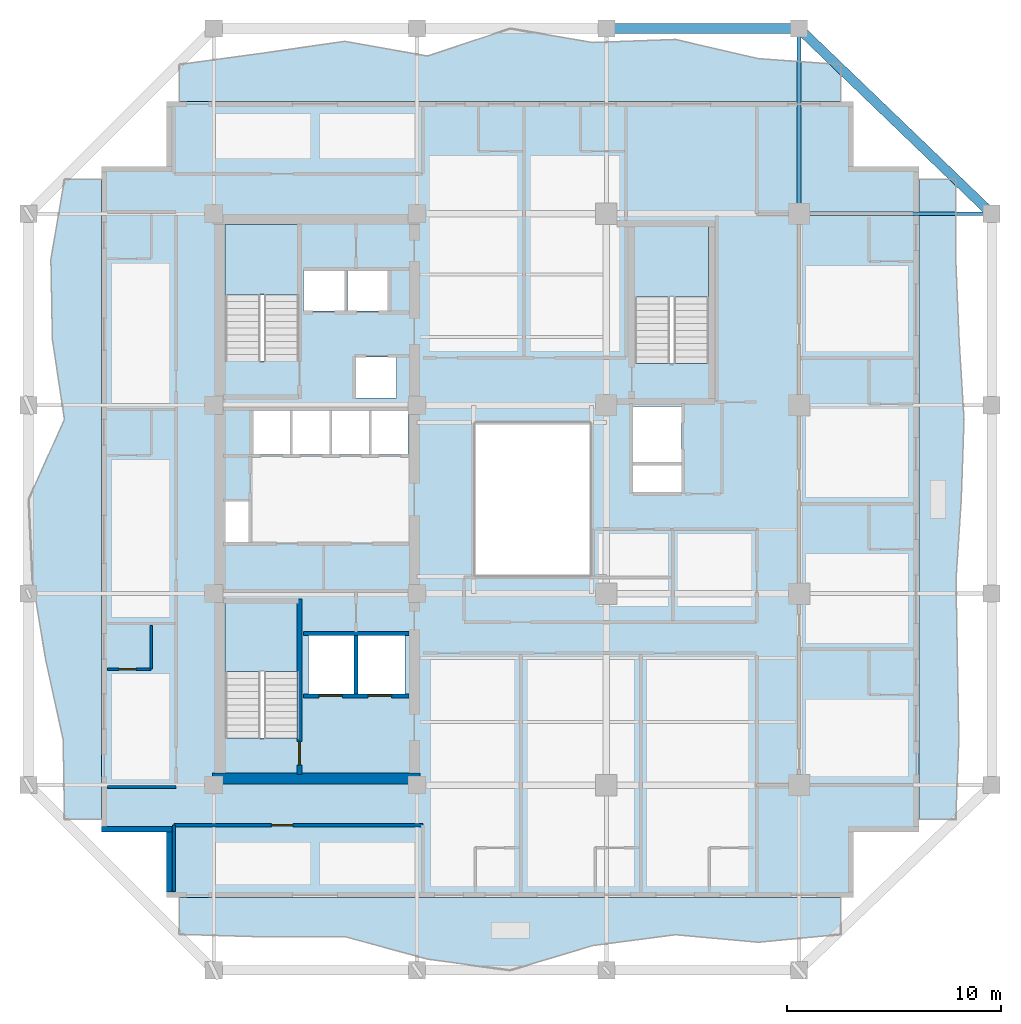
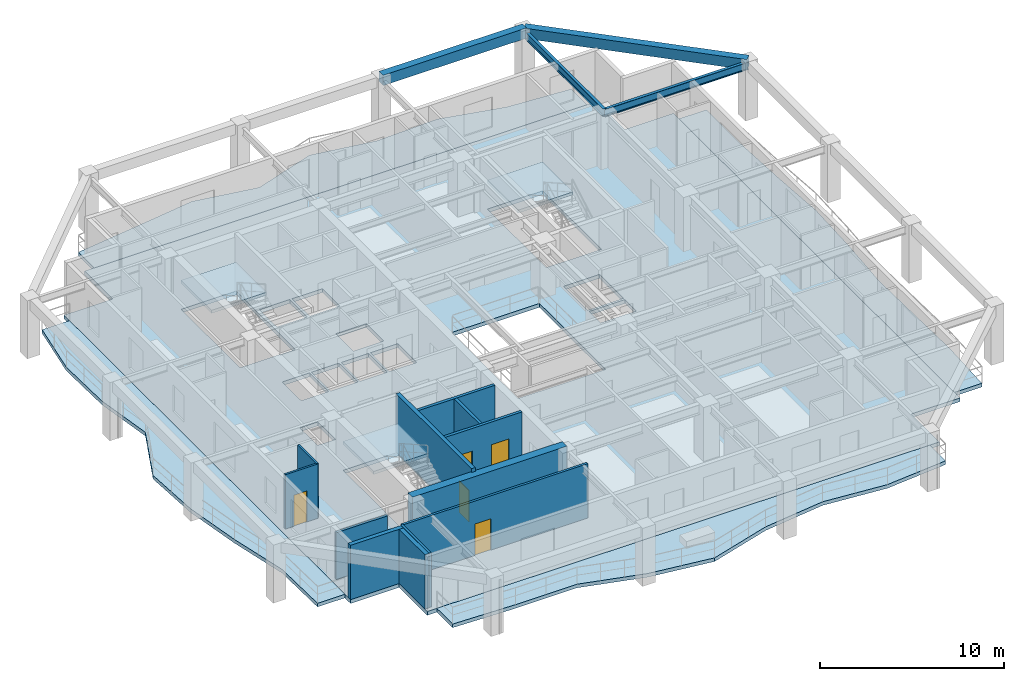
# One storey, part 2 of 11: 12 walls, 8 slabs, 5 doors, 4 beams, 5 openings, 3 elements without a shape of their own.
"""IFC4 building model written with IfcOpenShell, lengths in metres."""

import ifcopenshell
import ifcopenshell.guid

model = None  # the IFC model being written
_history = None  # IfcOwnerHistory: only IFC2X3 demands one
_inside = {}  # id of a spatial element -> (the spatial element, [elements in it])
_under = {}  # id of a project, library or spatial element -> (it, [spatial elements below it])
_declared = {}  # id of a project -> (the project, [libraries it declares])
_typed = {}  # id of a type object -> (the type object, [elements of that type])
_made_of = {}  # id of a material, layer set ... -> (it, [elements and type objects made of it])


def new_model(schema):
    """Start an empty IFC model of exactly this schema.

    Asked for "IFC4X3", IfcOpenShell would pick the latest addendum, in which some entities
    have other attributes; the version numbers below select the first issue.
    IFC2X3 requires an IfcOwnerHistory on every rooted entity: one is made here for all.
    """
    global model, _history
    if schema == "IFC4X3":
        model = ifcopenshell.file(schema_version=(4, 3, 0, 0))
    else:
        model = ifcopenshell.file(schema=schema)
    _inside.clear()
    _under.clear()
    _declared.clear()
    _typed.clear()
    _made_of.clear()
    _history = None
    if model.schema == "IFC2X3":
        org = make("IfcOrganization", Name="unknown")
        user = make(
            "IfcPersonAndOrganization",
            ThePerson=make("IfcPerson", FamilyName="unknown"),
            TheOrganization=org,
        )
        app = make(
            "IfcApplication",
            ApplicationDeveloper=org,
            Version="unknown",
            ApplicationFullName="unknown",
            ApplicationIdentifier="unknown",
        )
        _history = make(
            "IfcOwnerHistory",
            OwningUser=user,
            OwningApplication=app,
            ChangeAction="ADDED",
            CreationDate=0,
        )
    return model


def make(cls, **values):
    """One entity of the class cls with the attributes given. An attribute that is None is left unset."""
    return model.create_entity(
        cls, **{name: value for name, value in values.items() if value is not None}
    )


def rooted(cls, **values):
    """An entity with a GlobalId (a new one), such as an element, a storey or a relation."""
    return make(cls, GlobalId=ifcopenshell.guid.new(), OwnerHistory=_history, **values)


def si_unit(unit_type, name, prefix=None):
    """IfcSIUnit, for example si_unit("LENGTHUNIT", "METRE", prefix="MILLI")."""
    return make("IfcSIUnit", UnitType=unit_type, Prefix=prefix, Name=name)


def assignment(units):
    """IfcUnitAssignment: the units of a project."""
    return None if units is None else make("IfcUnitAssignment", Units=units)


def point(xyz):
    """IfcCartesianPoint."""
    return None if xyz is None else make("IfcCartesianPoint", Coordinates=xyz)


def direction(xyz):
    """IfcDirection."""
    return None if xyz is None else make("IfcDirection", DirectionRatios=xyz)


def frame(location, z_axis=None, x_axis=None):
    """IfcAxis2Placement3D, a coordinate frame: its origin and axes. An axis left out is left unset."""
    return make(
        "IfcAxis2Placement3D",
        Location=point(location),
        Axis=direction(z_axis),
        RefDirection=direction(x_axis),
    )


def frame_2d(location, x_axis=None):
    """IfcAxis2Placement2D, a coordinate frame in the plane: its origin and x axis."""
    return make(
        "IfcAxis2Placement2D", Location=point(location), RefDirection=direction(x_axis)
    )


def origin():
    """The frame at (0, 0, 0) with its axes left unset."""
    return frame((0.0, 0.0, 0.0))


def origin_2d():
    """The frame at (0, 0) in the plane with its x axis left unset."""
    return frame_2d((0.0, 0.0))


def place(relative_to, where):
    """IfcLocalPlacement: puts the frame where relative to a parent placement (None: the world)."""
    return make(
        "IfcLocalPlacement", PlacementRelTo=relative_to, RelativePlacement=where
    )


def context(
    kind, dimensions, precision=None, world=None, true_north=None, identifier=None
):
    """IfcGeometricRepresentationContext, for example the 3D "Model" context."""
    return make(
        "IfcGeometricRepresentationContext",
        ContextIdentifier=identifier,
        ContextType=kind,
        CoordinateSpaceDimension=dimensions,
        Precision=precision,
        WorldCoordinateSystem=world,
        TrueNorth=true_north,
    )


def subcontext(parent, identifier, kind, view, scale=None):
    """IfcGeometricRepresentationSubContext, for example "Body" below "Model"."""
    return make(
        "IfcGeometricRepresentationSubContext",
        ContextIdentifier=identifier,
        ContextType=kind,
        ParentContext=parent,
        TargetScale=scale,
        TargetView=view,
    )


def project(units=None, contexts=None):
    """IfcProject with its units and contexts."""
    return rooted(
        "IfcProject",
        Name="project",
        RepresentationContexts=contexts,
        UnitsInContext=assignment(units),
    )


def spatial(cls, under=None, at=None, **own):
    """A site, building, storey or space (cls), placed at a placement, below another one or the project."""
    s = rooted(cls, ObjectPlacement=at, **own)
    if under is not None:
        _under.setdefault(under.id(), (under, []))[1].append(s)
    return s


def polyline(points):
    """IfcPolyline through the points."""
    return make("IfcPolyline", Points=[point(p) for p in points])


def profile(cls, at=None, kind="AREA", **sizes):
    """A parametric profile (cls). Its sizes go by their IFC names, for example OverallWidth=200.0."""
    return make(cls, ProfileType=kind, Position=at, **sizes)


def rectangle(**sizes):
    """IfcRectangleProfileDef."""
    return profile("IfcRectangleProfileDef", **sizes)


def i_section(**sizes):
    """IfcIShapeProfileDef."""
    return profile("IfcIShapeProfileDef", **sizes)


def outline(outer, holes=None, kind="AREA"):
    """IfcArbitraryClosedProfileDef: a profile drawn as a closed curve; with holes, ...WithVoids."""
    if holes is None:
        return make("IfcArbitraryClosedProfileDef", ProfileType=kind, OuterCurve=outer)
    return make(
        "IfcArbitraryProfileDefWithVoids",
        ProfileType=kind,
        OuterCurve=outer,
        InnerCurves=holes,
    )


def extrude(swept, where, along, depth):
    """IfcExtrudedAreaSolid: the profile swept, set in the frame where, extruded along a direction by depth."""
    return make(
        "IfcExtrudedAreaSolid",
        SweptArea=swept,
        Position=where,
        ExtrudedDirection=direction(along),
        Depth=depth,
    )


def shape(context_of_items, identifier, shape_type, items):
    """IfcShapeRepresentation: the items that make up one representation, for example the "Body"."""
    return make(
        "IfcShapeRepresentation",
        ContextOfItems=context_of_items,
        RepresentationIdentifier=identifier,
        RepresentationType=shape_type,
        Items=items,
    )


def material(Name=None, Category=None):
    """IfcMaterial."""
    return make("IfcMaterial", Name=Name, Category=Category)


def layer(
    of_material, thickness, ventilated=None, Name=None, Category=None, Priority=None
):
    """IfcMaterialLayer: one layer of a wall or slab, of a material (None: an air gap)."""
    return make(
        "IfcMaterialLayer",
        Material=of_material,
        LayerThickness=thickness,
        IsVentilated=ventilated,
        Name=Name,
        Category=Category,
        Priority=Priority,
    )


def layer_set(layers, Name=None):
    """IfcMaterialLayerSet."""
    return make("IfcMaterialLayerSet", MaterialLayers=layers, LayerSetName=Name)


def material_profile(
    of_material, cross_section, Name=None, Category=None, Priority=None
):
    """IfcMaterialProfile: a cross section and its material."""
    return make(
        "IfcMaterialProfile",
        Name=Name,
        Material=of_material,
        Profile=cross_section,
        Priority=Priority,
        Category=Category,
    )


def profile_set(profiles, Name=None, composite=None):
    """IfcMaterialProfileSet."""
    return make(
        "IfcMaterialProfileSet",
        Name=Name,
        MaterialProfiles=profiles,
        CompositeProfile=composite,
    )


def made_of(thing, what):
    """Note that an element or type object is made of a material, layer set ...; save() writes the relation."""
    if what is not None:
        _made_of.setdefault(what.id(), (what, []))[1].append(thing)
    return thing


def type_object(cls, material=None, **own):
    """A type object (cls), such as IfcWallType, which elements share."""
    return made_of(rooted(cls, **own), material)


def element(
    cls,
    number,
    at=None,
    inside=None,
    cuts=None,
    type_object=None,
    material=None,
    context=None,
    identifier="Body",
    shape_type=None,
    held_by="IfcProductDefinitionShape",
    body=None,
    shapes=None,
    **own,
):
    """One element of the class cls, such as IfcWall. Its Tag is "e" and its number.

    at: its placement. inside: the storey or other place that contains it. cuts: it is an
    opening in that element (IfcRelVoidsElement). A single representation is given by context,
    identifier, shape_type and body (its items); several are given by shapes. held_by: the class
    of the entity that holds the representations. save() writes the other relations.
    """
    e = rooted(cls, Tag="e%d" % number, ObjectPlacement=at, **own)
    if body is not None:
        shapes = [shape(context, identifier, shape_type, body)]
    if shapes is not None:
        e.Representation = make(held_by, Representations=shapes)
    if inside is not None:
        _inside.setdefault(inside.id(), (inside, []))[1].append(e)
    if cuts is not None:
        rooted(
            "IfcRelVoidsElement", RelatingBuildingElement=cuts, RelatedOpeningElement=e
        )
    if type_object is not None:
        _typed.setdefault(type_object.id(), (type_object, []))[1].append(e)
    return made_of(e, material)


def fill(opening, filler):
    """IfcRelFillsElement: the door or window that sits in an opening."""
    return rooted(
        "IfcRelFillsElement",
        RelatingOpeningElement=opening,
        RelatedBuildingElement=filler,
    )


def aggregate(whole, parts):
    """IfcRelAggregates: a whole, such as a stair, and the parts it consists of."""
    return rooted("IfcRelAggregates", RelatingObject=whole, RelatedObjects=parts)


def save(model, path):
    """Write the relations noted so far, then the file.

    IfcRelAggregates (storeys below a building ...), IfcRelContainedInSpatialStructure (elements
    in a storey), IfcRelDefinesByType, IfcRelAssociatesMaterial and IfcRelDeclares: one each for
    every whole, place, type object, material and project.
    """
    for whole, parts in _under.values():
        aggregate(whole, parts)
    for where, things in _inside.values():
        rooted(
            "IfcRelContainedInSpatialStructure",
            RelatedElements=things,
            RelatingStructure=where,
        )
    for kind, things in _typed.values():
        rooted("IfcRelDefinesByType", RelatedObjects=things, RelatingType=kind)
    for what, things in _made_of.values():
        rooted("IfcRelAssociatesMaterial", RelatedObjects=things, RelatingMaterial=what)
    for by, libraries in _declared.values():
        rooted("IfcRelDeclares", RelatingContext=by, RelatedDefinitions=libraries)
    model.write(path)


model = new_model("IFC4")

# Units and contexts
model_context = context("Model", 3, precision=1e-05, world=origin(), true_north=direction((0.0, 1.0)))
body_context = subcontext(model_context, "Body", "Model", "MODEL_VIEW")
ifc_project = project(units=[si_unit("LENGTHUNIT", "METRE"), si_unit("AREAUNIT", "SQUARE_METRE"), si_unit("VOLUMEUNIT", "CUBIC_METRE"), si_unit("PLANEANGLEUNIT", "RADIAN"), si_unit("MASSUNIT", "GRAM", prefix="KILO")], contexts=[model_context])

# Site, building, storey
site_placement = place(None, origin())
site = spatial("IfcSite", under=ifc_project, at=site_placement, CompositionType="ELEMENT")
building_placement = place(site_placement, origin())
building = spatial("IfcBuilding", under=site, at=building_placement, Name="Kundavana Baori Tower", CompositionType="ELEMENT")
storey_placement = place(building_placement, frame((0.0, 0.0, 130.949951171875)))
storey = spatial("IfcBuildingStorey", under=building, at=storey_placement, Name="L31", CompositionType="ELEMENT", Elevation=130.949951171875)

# Beams
ifc_material_1 = material(Name="Concrete C50/60", Category="concrete")
ifc_material_profile_1 = material_profile(ifc_material_1, rectangle(XDim=0.449951171875, YDim=0.679931640625, at=origin_2d()), Name="RC BM 450x680")
ifc_profile_set_1 = profile_set([ifc_material_profile_1], Name="Concrete C50/60")
beam_type_1 = type_object("IfcBeamType", Name="BM-PF-680", PredefinedType="SPANDREL", material=ifc_profile_set_1)
beam_1_placement = place(storey_placement, frame((33.800048828125, 50.60009765625, 3.510009765625), z_axis=(1.0, 0.0, 0.0), x_axis=(0.0, 1.0, 0.0)))
element("IfcBeam", 1, at=beam_1_placement, inside=storey, type_object=beam_type_1, Name="L31 Perimeter Frame Ring Beam N3", PredefinedType="SPANDREL", context=body_context, shape_type="SweptSolid", body=[
    extrude(rectangle(XDim=0.449951171875, YDim=0.679931640625, at=origin_2d()), origin(), (0.0, 0.0, 1.0), 9.0),
])
beam_2_placement = place(storey_placement, frame((42.800048828125, 50.60009765625, 3.510009765625), z_axis=(0.720981122985, -0.692954702921, 0.0), x_axis=(0.692954702921, 0.720981122985, 0.0)))
element("IfcBeam", 2, at=beam_2_placement, inside=storey, type_object=beam_type_1, Name="L31 Notched Corner Perimeter Beam NE", PredefinedType="SPANDREL", context=body_context, shape_type="SweptSolid", body=[
    extrude(rectangle(XDim=0.449951171875, YDim=0.679931640625, at=origin_2d()), origin(), (0.0, 0.0, 1.0), 12.48291015625),
])
ifc_material_2 = material(Name="Structural Steel S355JR", Category="steel")
ifc_material_profile_2 = material_profile(ifc_material_2, i_section(OverallWidth=0.179931640625, OverallDepth=0.5, WebThickness=0.01025390625, FlangeThickness=0.01708984375, FilletRadius=0.01708984375, at=origin_2d()), Name="ISMB 500")
ifc_profile_set_2 = profile_set([ifc_material_profile_2], Name="Structural Steel S355JR")
beam_type_2 = type_object("IfcBeamType", Name="BM-TIE-500", PredefinedType="BEAM", material=ifc_profile_set_2)
beam_3_placement = place(storey_placement, frame((42.800048828125, 41.949951171875, 3.35009765625), z_axis=(0.0, 1.0, 0.0), x_axis=(-1.0, 0.0, 0.0)))
element("IfcBeam", 3, at=beam_3_placement, inside=storey, type_object=beam_type_2, Name="L31 North Radial Loggia Tie Beam N4", PredefinedType="BEAM", context=body_context, shape_type="SweptSolid", body=[
    extrude(i_section(OverallWidth=0.179931640625, OverallDepth=0.5, WebThickness=0.01025390625, FlangeThickness=0.01708984375, FilletRadius=0.01708984375, at=origin_2d()), origin(), (0.0, 0.0, 1.0), 8.650146484375),
])
beam_4_placement = place(storey_placement, frame((42.800048828125, 41.949951171875, 3.35009765625), z_axis=(1.0, 0.0, 0.0), x_axis=(0.0, 1.0, 0.0)))
element("IfcBeam", 4, at=beam_4_placement, inside=storey, type_object=beam_type_2, Name="L31 East Radial Loggia Tie Beam E4", PredefinedType="BEAM", context=body_context, shape_type="SweptSolid", body=[
    extrude(i_section(OverallWidth=0.179931640625, OverallDepth=0.5, WebThickness=0.01025390625, FlangeThickness=0.01708984375, FilletRadius=0.01708984375, at=origin_2d()), origin(), (0.0, 0.0, 1.0), 9.0),
])

# Slab
ifc_material_3 = material(Name="Concrete C40/50", Category="concrete")
ifc_layer_1 = layer(ifc_material_3, 0.25, Name="SLB-FLR-250")
ifc_layer_set_1 = layer_set([ifc_layer_1], Name="Concrete C40/50")
slab_type_1 = type_object("IfcSlabType", Name="SLB-FLR-250", PredefinedType="FLOOR", material=ifc_layer_set_1)
slab_1_placement = place(storey_placement, frame((0.0, 0.0, -0.25)))
element("IfcSlab", 5, at=slab_1_placement, inside=storey, type_object=slab_type_1, Name="L31 Structural Floor Slab", PredefinedType="FLOOR", context=body_context, shape_type="SweptSolid", body=[
    extrude(outline(polyline([(13.25, 10.0), (45.35009765625, 10.0), (45.35009765625, 13.050048828125), (48.39990234375, 13.050048828125), (48.39990234375, 44.14990234375), (45.35009765625, 44.14990234375), (45.35009765625, 47.199951171875), (13.25, 47.199951171875), (13.25, 44.14990234375), (10.199951171875, 44.14990234375), (10.199951171875, 13.050048828125), (13.25, 13.050048828125), (13.25, 10.0)]), holes=[polyline([(19.43994140625, 17.4619140625), (19.43994140625, 23.85009765625), (15.97998046875, 23.85009765625), (15.97998046875, 17.4619140625), (19.43994140625, 17.4619140625)]), polyline([(19.43994140625, 35.06201171875), (19.43994140625, 41.449951171875), (15.97998046875, 41.449951171875), (15.97998046875, 35.06201171875), (19.43994140625, 35.06201171875)]), polyline([(38.580078125, 34.9619140625), (38.580078125, 41.35009765625), (35.1201171875, 41.35009765625), (35.1201171875, 34.9619140625), (38.580078125, 34.9619140625)]), polyline([(17.300048828125, 30.699951171875), (19.02001953125, 30.699951171875), (19.02001953125, 32.75), (17.300048828125, 32.75), (17.300048828125, 30.699951171875)]), polyline([(19.139892578125, 30.699951171875), (20.860107421875, 30.699951171875), (20.860107421875, 32.75), (19.139892578125, 32.75), (19.139892578125, 30.699951171875)]), polyline([(20.97998046875, 30.699951171875), (22.699951171875, 30.699951171875), (22.699951171875, 32.75), (20.97998046875, 32.75), (20.97998046875, 30.699951171875)]), polyline([(22.820068359375, 30.699951171875), (24.5400390625, 30.699951171875), (24.5400390625, 32.75), (22.820068359375, 32.75), (22.820068359375, 30.699951171875)]), polyline([(19.64990234375, 37.39990234375), (21.550048828125, 37.39990234375), (21.550048828125, 39.300048828125), (19.64990234375, 39.300048828125), (19.64990234375, 37.39990234375)]), polyline([(21.699951171875, 37.39990234375), (23.60009765625, 37.39990234375), (23.60009765625, 39.300048828125), (21.699951171875, 39.300048828125), (21.699951171875, 37.39990234375)]), polyline([(22.10009765625, 33.35009765625), (24.0, 33.35009765625), (24.0, 35.25), (22.10009765625, 35.25), (22.10009765625, 33.35009765625)]), polyline([(19.8798828125, 19.5), (22.02001953125, 19.5), (22.02001953125, 22.25), (19.8798828125, 22.25), (19.8798828125, 19.5)]), polyline([(22.179931640625, 19.5), (24.3798828125, 19.5), (24.3798828125, 22.25), (22.179931640625, 22.25), (22.179931640625, 19.5)]), polyline([(35.050048828125, 30.35009765625), (37.300048828125, 30.35009765625), (37.300048828125, 32.949951171875), (35.050048828125, 32.949951171875), (35.050048828125, 30.35009765625)]), polyline([(15.949951171875, 26.60009765625), (17.080078125, 26.60009765625), (17.080078125, 28.5), (15.949951171875, 28.5), (15.949951171875, 26.60009765625)]), polyline([(35.050048828125, 28.949951171875), (37.300048828125, 28.949951171875), (37.300048828125, 30.199951171875), (35.050048828125, 30.199951171875), (35.050048828125, 28.949951171875)]), polyline([(27.60009765625, 25.0), (33.10009765625, 25.0), (33.10009765625, 32.199951171875), (27.60009765625, 32.199951171875), (27.60009765625, 25.0)])]), origin(), (0.0, 0.0, 1.0), 0.25),
])

# Stair, slab
ifc_material_4 = material(Name="Concrete C40/50", Category="concrete")
stair_type = type_object("IfcStairType", Name="STR-DOG-1650", PredefinedType="HALF_TURN_STAIR", material=ifc_material_4)
stair_1_placement = place(storey_placement, origin())
stair_1 = element("IfcStair", 6, at=stair_1_placement, inside=storey, type_object=stair_type, Name="L31 Protected Exit Stair ST1", PredefinedType="HALF_TURN_STAIR")
ifc_material_5 = material(Name="Concrete C40/50", Category="concrete")
ifc_layer_2 = layer(ifc_material_5, 0.199951171875, Name="SLB-LND-200")
ifc_layer_set_2 = layer_set([ifc_layer_2], Name="Concrete C40/50")
slab_type_2 = type_object("IfcSlabType", Name="SLB-LND-200", PredefinedType="LANDING", material=ifc_layer_set_2)
slab_2_placement = place(storey_placement, frame((0.0, 0.0, 1.72509765625)))
slab_2 = element("IfcSlab", 7, at=slab_2_placement, type_object=slab_type_2, Name="ST1 landing 1", PredefinedType="LANDING", context=body_context, shape_type="SweptSolid", body=[
    extrude(outline(polyline([(19.43994140625, 20.550048828125), (19.43994140625, 23.85009765625), (15.97998046875, 23.85009765625), (15.97998046875, 20.550048828125), (19.43994140625, 20.550048828125)])), origin(), (0.0, 0.0, 1.0), 0.199951171875),
])
aggregate(stair_1, [slab_2])

stair_2_placement = place(storey_placement, origin())
stair_2 = element("IfcStair", 8, at=stair_2_placement, inside=storey, type_object=stair_type, Name="L31 Protected Exit Stair ST2", PredefinedType="HALF_TURN_STAIR")
slab_3_placement = place(storey_placement, frame((0.0, 0.0, 1.72509765625)))
slab_3 = element("IfcSlab", 9, at=slab_3_placement, type_object=slab_type_2, Name="ST2 landing 1", PredefinedType="LANDING", context=body_context, shape_type="SweptSolid", body=[
    extrude(outline(polyline([(19.43994140625, 38.14990234375), (19.43994140625, 41.449951171875), (15.97998046875, 41.449951171875), (15.97998046875, 38.14990234375), (19.43994140625, 38.14990234375)])), origin(), (0.0, 0.0, 1.0), 0.199951171875),
])
aggregate(stair_2, [slab_3])

stair_3_placement = place(storey_placement, origin())
stair_3 = element("IfcStair", 10, at=stair_3_placement, inside=storey, type_object=stair_type, Name="L31 Protected Exit Stair ST3", PredefinedType="HALF_TURN_STAIR")
slab_4_placement = place(storey_placement, frame((0.0, 0.0, 1.72509765625)))
slab_4 = element("IfcSlab", 11, at=slab_4_placement, type_object=slab_type_2, Name="ST3 landing 1", PredefinedType="LANDING", context=body_context, shape_type="SweptSolid", body=[
    extrude(outline(polyline([(38.580078125, 38.050048828125), (38.580078125, 41.35009765625), (35.1201171875, 41.35009765625), (35.1201171875, 38.050048828125), (38.580078125, 38.050048828125)])), origin(), (0.0, 0.0, 1.0), 0.199951171875),
])
aggregate(stair_3, [slab_4])

# Slabs
ifc_material_6 = material(Name="Concrete C40/50", Category="concrete")
ifc_layer_3 = layer(ifc_material_6, 0.239990234375, Name="SLB-LOG-240")
ifc_layer_set_3 = layer_set([ifc_layer_3], Name="Concrete C40/50")
slab_type_3 = type_object("IfcSlabType", Name="SLB-LOG-240", PredefinedType="FLOOR", material=ifc_layer_set_3)
slab_5_placement = place(storey_placement, frame((0.0, 0.0, -0.239990234375)))
element("IfcSlab", 12, at=slab_5_placement, inside=storey, type_object=slab_type_3, Name="L31 Planted Loggia Balcony Slab S", PredefinedType="FLOOR", context=body_context, shape_type="SweptSolid", body=[
    extrude(outline(polyline([(13.85009765625, 10.0), (44.75, 10.0), (44.75, 8.280029296875), (40.886962890625, 7.910888671875), (37.02490234375, 8.262939453125), (33.1630859375, 7.756103515625), (29.300048828125, 6.60009765625), (25.43798828125, 7.123046875), (21.574951171875, 8.175048828125), (17.7119140625, 8.1640625), (13.85009765625, 8.280029296875), (13.85009765625, 10.0)])), origin(), (0.0, 0.0, 1.0), 0.239990234375),
])
slab_6_placement = place(storey_placement, frame((0.0, 0.0, -0.239990234375)))
element("IfcSlab", 13, at=slab_6_placement, inside=storey, type_object=slab_type_3, Name="L31 Planted Loggia Balcony Slab E", PredefinedType="FLOOR", context=body_context, shape_type="SweptSolid", body=[
    extrude(outline(polyline([(48.39990234375, 13.64990234375), (48.39990234375, 43.550048828125), (50.1201171875, 43.550048828125), (50.12109375, 39.81201171875), (50.27587890625, 36.074951171875), (50.507080078125, 32.3369140625), (50.3779296875, 28.60009765625), (50.133056640625, 24.862060546875), (50.196044921875, 21.125), (50.264892578125, 17.386962890625), (50.1201171875, 13.64990234375), (48.39990234375, 13.64990234375)])), origin(), (0.0, 0.0, 1.0), 0.239990234375),
])
slab_7_placement = place(storey_placement, frame((0.0, 0.0, -0.239990234375)))
element("IfcSlab", 14, at=slab_7_placement, inside=storey, type_object=slab_type_3, Name="L31 Planted Loggia Balcony Slab N", PredefinedType="FLOOR", context=body_context, shape_type="SweptSolid", body=[
    extrude(outline(polyline([(44.75, 47.199951171875), (13.85009765625, 47.199951171875), (13.85009765625, 48.919921875), (17.7119140625, 49.447021484375), (21.574951171875, 50.0029296875), (25.43798828125, 49.31591796875), (29.300048828125, 50.60009765625), (33.1630859375, 49.947998046875), (37.02490234375, 50.091064453125), (40.886962890625, 49.194091796875), (44.75, 48.919921875), (44.75, 47.199951171875)])), origin(), (0.0, 0.0, 1.0), 0.239990234375),
])
slab_8_placement = place(storey_placement, frame((0.0, 0.0, -0.239990234375)))
element("IfcSlab", 15, at=slab_8_placement, inside=storey, type_object=slab_type_3, Name="L31 Planted Loggia Balcony Slab W", PredefinedType="FLOOR", context=body_context, shape_type="SweptSolid", body=[
    extrude(outline(polyline([(10.199951171875, 43.550048828125), (10.199951171875, 13.64990234375), (8.47998046875, 13.64990234375), (8.4150390625, 17.386962890625), (7.596923828125, 21.125), (6.97998046875, 24.862060546875), (6.800048828125, 28.60009765625), (8.47705078125, 32.3369140625), (7.9140625, 36.074951171875), (7.843017578125, 39.81201171875), (8.47998046875, 43.550048828125), (10.199951171875, 43.550048828125)])), origin(), (0.0, 0.0, 1.0), 0.239990234375),
])

# Wall, opening, door
ifc_material_7 = material(Name="Concrete C50/60", Category="concrete")
ifc_layer_4 = layer(ifc_material_7, 0.39990234375, Name="WL-CORE-400")
ifc_layer_set_4 = layer_set([ifc_layer_4], Name="Concrete C50/60")
wall_type_1 = type_object("IfcWallType", Name="WL-CORE-400", PredefinedType="SHEAR", material=ifc_layer_set_4)
wall_1_placement = place(storey_placement, frame((19.4599609375, 15.739990234375, 0.0), z_axis=(0.0, 0.0, 1.0), x_axis=(0.0, 1.0, 0.0)))
wall_1 = element("IfcWall", 16, at=wall_1_placement, inside=storey, type_object=wall_type_1, Name="WL-L31-ST1-E", PredefinedType="SHEAR", context=body_context, shape_type="SweptSolid", body=[
    extrude(rectangle(XDim=8.199951171875, YDim=0.239990234375, at=frame_2d((4.10009765625, 0.0))), origin(), (0.0, 0.0, 1.0), 3.85009765625),
])
opening_1_placement = place(wall_1_placement, frame((0.449951171875, 0.0, 0.0)))
opening_1 = element("IfcOpeningElement", 17, at=opening_1_placement, cuts=wall_1, Name="Opening FD-110", PredefinedType="OPENING", context=body_context, shape_type="SweptSolid", body=[
    extrude(rectangle(XDim=1.10009765625, YDim=2.10009765625, at=frame_2d((0.550048828125, 1.050048828125))), frame((0.0, 0.1298828125, 0.0), z_axis=(0.0, -1.0, 0.0), x_axis=(1.0, 0.0, 0.0)), (0.0, 0.0, 1.0), 0.260009765625),
])
ifc_material_8 = material(Name="Galvanised Steel Fire-Rated Door Leaf", Category="steel")
door_type_1 = type_object("IfcDoorType", Name="DR-FD120-1100", OperationType="NOTDEFINED", PredefinedType="DOOR", material=ifc_material_8)
door_1_placement = place(opening_1_placement, origin())
door_1 = element("IfcDoor", 18, at=door_1_placement, inside=storey, type_object=door_type_1, Name="DR-L31-ST1", OperationType="SINGLE_SWING_LEFT", OverallHeight=2.10009765625, OverallWidth=1.10009765625, PredefinedType="DOOR", context=body_context, shape_type="SweptSolid", body=[
    extrude(rectangle(XDim=1.10009765625, YDim=2.10009765625, at=frame_2d((0.550048828125, 1.050048828125))), frame((0.0, 0.02490234375, 0.0), z_axis=(0.0, -1.0, 0.0), x_axis=(1.0, 0.0, 0.0)), (0.0, 0.0, 1.0), 0.050048828125),
])
fill(opening_1, door_1)

# Walls
ifc_material_9 = material(Name="Concrete C50/60", Category="concrete")
ifc_layer_5 = layer(ifc_material_9, 0.5, Name="WL-CORE-500")
ifc_layer_set_5 = layer_set([ifc_layer_5], Name="Concrete C50/60")
wall_type_2 = type_object("IfcWallType", Name="WL-CORE-500", PredefinedType="SHEAR", material=ifc_layer_set_5)
wall_2_placement = place(storey_placement, frame((15.39990234375, 15.56005859375, 0.0), z_axis=(0.0, 0.0, 1.0), x_axis=(1.0, 0.0, 0.0)))
element("IfcWall", 19, at=wall_2_placement, inside=storey, type_object=wall_type_2, Name="L31 Offset Core South Shear Wall", PredefinedType="SHEAR", context=body_context, shape_type="SweptSolid", body=[
    extrude(rectangle(XDim=9.68017578125, YDim=0.5, at=frame_2d((4.840087890625, 0.0))), origin(), (0.0, 0.0, 1.0), 3.60009765625),
])
ifc_material_10 = material(Name="Kiln-Fired Terracotta Brick-Slip Masonry on Concrete C40/50", Category="masonry")
ifc_layer_6 = layer(ifc_material_10, 0.260009765625, Name="WL-EXT-BRK-260")
ifc_layer_set_6 = layer_set([ifc_layer_6], Name="Kiln-Fired Terracotta Brick-Slip Masonry on Concrete C40/50")
wall_type_3 = type_object("IfcWallType", Name="WL-EXT-BRK-260", PredefinedType="SOLIDWALL", material=ifc_layer_set_6)
wall_3_placement = place(storey_placement, frame((10.199951171875, 13.179931640625, 0.0), z_axis=(0.0, 0.0, 1.0), x_axis=(1.0, 0.0, 0.0)))
element("IfcWall", 20, at=wall_3_placement, inside=storey, type_object=wall_type_3, Name="L31 Exterior Insulated Facade Wall 11", PredefinedType="SOLIDWALL", context=body_context, shape_type="SweptSolid", body=[
    extrude(rectangle(XDim=3.31005859375, YDim=0.260009765625, at=frame_2d((1.655029296875, 0.0))), origin(), (0.0, 0.0, 1.0), 3.60009765625),
])
wall_4_placement = place(storey_placement, frame((13.3798828125, 13.050048828125, 0.0), z_axis=(0.0, 0.0, 1.0), x_axis=(0.0, -1.0, 0.0)))
element("IfcWall", 21, at=wall_4_placement, inside=storey, type_object=wall_type_3, Name="L31 Exterior Insulated Facade Wall 12", PredefinedType="SOLIDWALL", context=body_context, shape_type="SweptSolid", body=[
    extrude(rectangle(XDim=2.7900390625, YDim=0.260009765625, at=frame_2d((1.39501953125, 0.0))), origin(), (0.0, 0.0, 1.0), 3.60009765625),
])
ifc_material_11 = material(Name="Fire-Rated Gypsum Drywall on Galvanised Steel Studs", Category="steel")
ifc_layer_7 = layer(ifc_material_11, 0.14990234375, Name="WL-PART-150")
ifc_layer_set_7 = layer_set([ifc_layer_7], Name="Fire-Rated Gypsum Drywall on Galvanised Steel Studs")
wall_type_4 = type_object("IfcWallType", Name="WL-PART-150", PredefinedType="PARTITIONING", material=ifc_layer_set_7)
wall_5_placement = place(storey_placement, frame((10.47998046875, 15.159912109375, 0.0), z_axis=(0.0, 0.0, 1.0), x_axis=(1.0, 0.0, 0.0)))
element("IfcWall", 22, at=wall_5_placement, inside=storey, type_object=wall_type_4, Name="WL-L31-HWS", PredefinedType="PARTITIONING", context=body_context, shape_type="SweptSolid", body=[
    extrude(rectangle(XDim=3.219970703125, YDim=0.14990234375, at=frame_2d((1.60986328125, 0.0))), origin(), (0.0, 0.0, 1.0), 3.10009765625),
])

# Wall, opening, door
wall_6_placement = place(storey_placement, frame((13.590087890625, 13.3798828125, 0.0), z_axis=(0.0, 0.0, 1.0), x_axis=(1.0, 0.0, 0.0)))
wall_6 = element("IfcWall", 23, at=wall_6_placement, inside=storey, type_object=wall_type_4, Name="WL-L31-HSC", PredefinedType="PARTITIONING", context=body_context, shape_type="SweptSolid", body=[
    extrude(rectangle(XDim=11.6298828125, YDim=0.14990234375, at=frame_2d((5.81494140625, 0.0))), origin(), (0.0, 0.0, 1.0), 3.60009765625),
])
opening_2_placement = place(wall_6_placement, frame((4.56005859375, 0.0, 0.0)))
opening_2 = element("IfcOpeningElement", 24, at=opening_2_placement, cuts=wall_6, Name="Opening ID-100", PredefinedType="OPENING", context=body_context, shape_type="SweptSolid", body=[
    extrude(rectangle(XDim=1.0, YDim=2.080078125, at=frame_2d((0.5, 1.0400390625))), frame((0.0, 0.0849609375, 0.0), z_axis=(0.0, -1.0, 0.0), x_axis=(1.0, 0.0, 0.0)), (0.0, 0.0, 1.0), 0.169921875),
])
ifc_material_12 = material(Name="Engineered Teak Solid-Core Timber Veneer", Category="wood")
door_type_2 = type_object("IfcDoorType", Name="DR-INT-1000", OperationType="NOTDEFINED", PredefinedType="DOOR", material=ifc_material_12)
door_2_placement = place(opening_2_placement, frame((1.0, 0.0, 0.0), z_axis=(0.0, 0.0, 1.0), x_axis=(-1.0, 0.0, 0.0)))
door_2 = element("IfcDoor", 25, at=door_2_placement, inside=storey, type_object=door_type_2, Name="DR-L31-HMSW", OperationType="SINGLE_SWING_LEFT", OverallHeight=2.080078125, OverallWidth=1.0, PredefinedType="DOOR", context=body_context, shape_type="SweptSolid", body=[
    extrude(rectangle(XDim=1.0, YDim=2.080078125, at=frame_2d((0.5, 1.0400390625))), frame((0.0, 0.02490234375, 0.0), z_axis=(0.0, -1.0, 0.0), x_axis=(1.0, 0.0, 0.0)), (0.0, 0.0, 1.0), 0.050048828125),
])
fill(opening_2, door_2)

# Wall
wall_7_placement = place(storey_placement, frame((13.590087890625, 10.280029296875, 0.0), z_axis=(0.0, 0.0, 1.0), x_axis=(0.0, 1.0, 0.0)))
element("IfcWall", 26, at=wall_7_placement, inside=storey, type_object=wall_type_4, Name="WL-L31-HSCW", PredefinedType="PARTITIONING", context=body_context, shape_type="SweptSolid", body=[
    extrude(rectangle(XDim=3.099853515625, YDim=0.14990234375, at=frame_2d((1.5498046875, 0.0))), origin(), (0.0, 0.0, 1.0), 3.60009765625),
])

# Wall, openings, doors
ifc_material_13 = material(Name="Autoclaved Aerated Concrete Blockwork Masonry", Category="masonry")
ifc_layer_8 = layer(ifc_material_13, 0.179931640625, Name="WL-SHAFT-180")
ifc_layer_set_8 = layer_set([ifc_layer_8], Name="Autoclaved Aerated Concrete Blockwork Masonry")
wall_type_5 = type_object("IfcWallType", Name="WL-SHAFT-180", PredefinedType="SOLIDWALL", material=ifc_layer_set_8)
wall_8_placement = place(storey_placement, frame((19.639892578125, 19.419921875, 0.0), z_axis=(0.0, 0.0, 1.0), x_axis=(1.0, 0.0, 0.0)))
wall_8 = element("IfcWall", 27, at=wall_8_placement, inside=storey, type_object=wall_type_5, Name="WL-L31-FFL-S", PredefinedType="SOLIDWALL", context=body_context, shape_type="SweptSolid", body=[
    extrude(rectangle(XDim=4.940185546875, YDim=0.179931640625, at=frame_2d((2.47021484375, 0.0))), origin(), (0.0, 0.0, 1.0), 3.60009765625),
])
opening_3_placement = place(wall_8_placement, frame((0.719970703125, 0.0, 0.0)))
opening_3 = element("IfcOpeningElement", 28, at=opening_3_placement, cuts=wall_8, Name="Opening LD-110", PredefinedType="OPENING", context=body_context, shape_type="SweptSolid", body=[
    extrude(rectangle(XDim=1.10009765625, YDim=2.10009765625, at=frame_2d((0.550048828125, 1.050048828125))), frame((0.0, 0.10009765625, 0.0), z_axis=(0.0, -1.0, 0.0), x_axis=(1.0, 0.0, 0.0)), (0.0, 0.0, 1.0), 0.199951171875),
])
opening_4_placement = place(wall_8_placement, frame((3.02001953125, 0.0, 0.0)))
opening_4 = element("IfcOpeningElement", 29, at=opening_4_placement, cuts=wall_8, Name="Opening LD-110", PredefinedType="OPENING", context=body_context, shape_type="SweptSolid", body=[
    extrude(rectangle(XDim=1.10009765625, YDim=2.10009765625, at=frame_2d((0.550048828125, 1.050048828125))), frame((0.0, 0.10009765625, 0.0), z_axis=(0.0, -1.0, 0.0), x_axis=(1.0, 0.0, 0.0)), (0.0, 0.0, 1.0), 0.199951171875),
])
ifc_material_14 = material(Name="Galvanised Steel Fire-Rated Door Leaf", Category="steel")
door_type_3 = type_object("IfcDoorType", Name="DR-SLIDE-LD1100", OperationType="NOTDEFINED", PredefinedType="DOOR", material=ifc_material_14)
door_3_placement = place(opening_3_placement, origin())
door_3 = element("IfcDoor", 30, at=door_3_placement, inside=storey, type_object=door_type_3, Name="DR-L31-LD-FFL-1", OperationType="DOUBLE_DOOR_SLIDING", OverallHeight=2.10009765625, OverallWidth=1.10009765625, PredefinedType="DOOR", context=body_context, shape_type="SweptSolid", body=[
    extrude(rectangle(XDim=1.10009765625, YDim=2.10009765625, at=frame_2d((0.550048828125, 1.050048828125))), frame((0.0, 0.02490234375, 0.0), z_axis=(0.0, -1.0, 0.0), x_axis=(1.0, 0.0, 0.0)), (0.0, 0.0, 1.0), 0.050048828125),
])
fill(opening_3, door_3)
door_4_placement = place(opening_4_placement, origin())
door_4 = element("IfcDoor", 31, at=door_4_placement, inside=storey, type_object=door_type_3, Name="DR-L31-LD-FFL-2", OperationType="DOUBLE_DOOR_SLIDING", OverallHeight=2.10009765625, OverallWidth=1.10009765625, PredefinedType="DOOR", context=body_context, shape_type="SweptSolid", body=[
    extrude(rectangle(XDim=1.10009765625, YDim=2.10009765625, at=frame_2d((0.550048828125, 1.050048828125))), frame((0.0, 0.02490234375, 0.0), z_axis=(0.0, -1.0, 0.0), x_axis=(1.0, 0.0, 0.0)), (0.0, 0.0, 1.0), 0.050048828125),
])
fill(opening_4, door_4)

# Walls
wall_9_placement = place(storey_placement, frame((22.10009765625, 19.510009765625, 0.0), z_axis=(0.0, 0.0, 1.0), x_axis=(0.0, 1.0, 0.0)))
element("IfcWall", 32, at=wall_9_placement, inside=storey, type_object=wall_type_5, Name="WL-L31-FFL-MID", PredefinedType="SOLIDWALL", context=body_context, shape_type="SweptSolid", body=[
    extrude(rectangle(XDim=2.739990234375, YDim=0.179931640625, at=frame_2d((1.3701171875, 0.0))), origin(), (0.0, 0.0, 1.0), 3.60009765625),
])
wall_10_placement = place(storey_placement, frame((19.639892578125, 22.340087890625, 0.0), z_axis=(0.0, 0.0, 1.0), x_axis=(1.0, 0.0, 0.0)))
element("IfcWall", 33, at=wall_10_placement, inside=storey, type_object=wall_type_5, Name="WL-L31-FFL-N", PredefinedType="SOLIDWALL", context=body_context, shape_type="SweptSolid", body=[
    extrude(rectangle(XDim=4.940185546875, YDim=0.179931640625, at=frame_2d((2.47021484375, 0.0))), origin(), (0.0, 0.0, 1.0), 3.60009765625),
])
ifc_material_15 = material(Name="Autoclaved Aerated Concrete Blockwork Masonry", Category="masonry")
ifc_layer_9 = layer(ifc_material_15, 0.125, Name="WL-WET-120")
ifc_layer_set_9 = layer_set([ifc_layer_9], Name="Autoclaved Aerated Concrete Blockwork Masonry")
wall_type_6 = type_object("IfcWallType", Name="WL-WET-120", PredefinedType="PLUMBINGWALL", material=ifc_layer_set_9)
wall_11_placement = place(storey_placement, frame((12.530029296875, 20.669921875, 0.0), z_axis=(0.0, 0.0, 1.0), x_axis=(0.0, 1.0, 0.0)))
element("IfcWall", 34, at=wall_11_placement, inside=storey, type_object=wall_type_6, Name="WL-L31-HK-W1-BE", PredefinedType="PLUMBINGWALL", context=body_context, shape_type="SweptSolid", body=[
    extrude(rectangle(XDim=2.050048828125, YDim=0.125, at=frame_2d((1.02490234375, 0.0))), origin(), (0.0, 0.0, 1.0), 3.60009765625),
])

# Wall, opening, door
wall_12_placement = place(storey_placement, frame((10.47998046875, 20.669921875, 0.0), z_axis=(0.0, 0.0, 1.0), x_axis=(1.0, 0.0, 0.0)))
wall_12 = element("IfcWall", 35, at=wall_12_placement, inside=storey, type_object=wall_type_6, Name="WL-L31-HK-W1-BS", PredefinedType="PLUMBINGWALL", context=body_context, shape_type="SweptSolid", body=[
    extrude(rectangle(XDim=2.050048828125, YDim=0.125, at=frame_2d((1.02490234375, 0.0))), origin(), (0.0, 0.0, 1.0), 3.60009765625),
])
opening_5_placement = place(wall_12_placement, frame((0.550048828125, 0.0, 0.0)))
opening_5 = element("IfcOpeningElement", 36, at=opening_5_placement, cuts=wall_12, Name="Opening WD-080", PredefinedType="OPENING", context=body_context, shape_type="SweptSolid", body=[
    extrude(rectangle(XDim=0.800048828125, YDim=2.050048828125, at=frame_2d((0.39990234375, 1.02490234375))), frame((0.0, 0.072509765625, 0.0), z_axis=(0.0, -1.0, 0.0), x_axis=(1.0, 0.0, 0.0)), (0.0, 0.0, 1.0), 0.14501953125),
])
ifc_material_16 = material(Name="Engineered Teak Solid-Core Timber Veneer", Category="wood")
door_type_4 = type_object("IfcDoorType", Name="DR-WET-800", OperationType="NOTDEFINED", PredefinedType="DOOR", material=ifc_material_16)
door_5_placement = place(opening_5_placement, frame((0.800048828125, 0.0, 0.0), z_axis=(0.0, 0.0, 1.0), x_axis=(-1.0, 0.0, 0.0)))
door_5 = element("IfcDoor", 37, at=door_5_placement, inside=storey, type_object=door_type_4, Name="DR-L31-HK-W1-ENS", OperationType="SINGLE_SWING_LEFT", OverallHeight=2.050048828125, OverallWidth=0.800048828125, PredefinedType="DOOR", context=body_context, shape_type="SweptSolid", body=[
    extrude(rectangle(XDim=0.800048828125, YDim=2.050048828125, at=frame_2d((0.39990234375, 1.02490234375))), frame((0.0, 0.02490234375, 0.0), z_axis=(0.0, -1.0, 0.0), x_axis=(1.0, 0.0, 0.0)), (0.0, 0.0, 1.0), 0.050048828125),
])
fill(opening_5, door_5)

save(model, "model.ifc")
